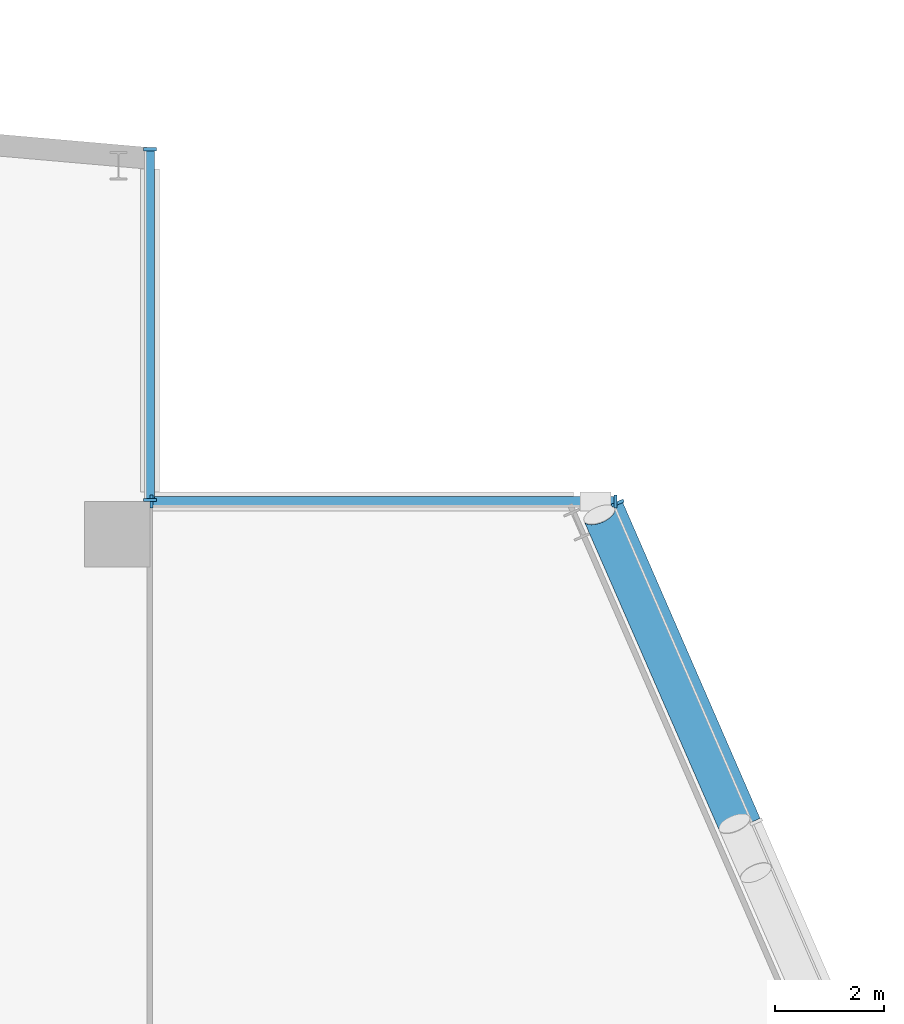
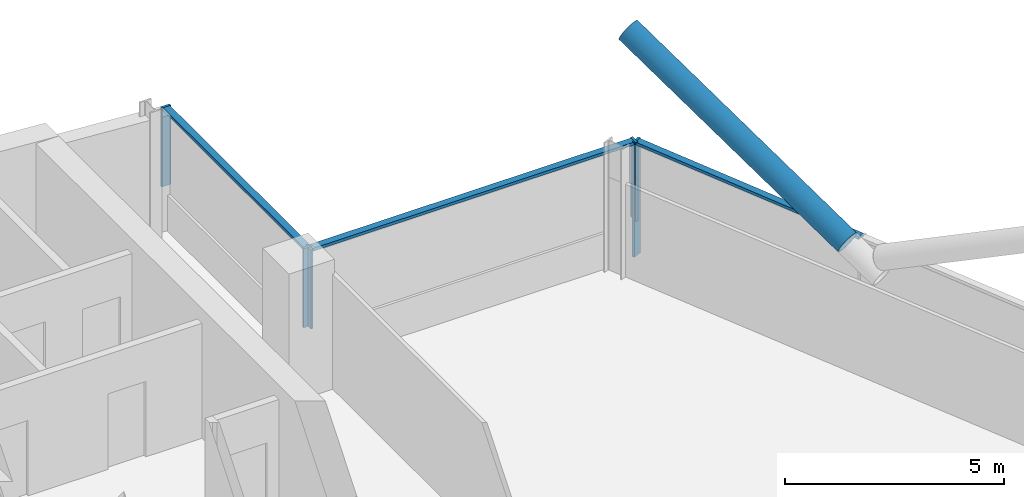
# One storey, part 8 of 27: 9 members, 3 elements without a shape of their own.
"""IFC4 building model written with IfcOpenShell, lengths in metres."""

import ifcopenshell
import ifcopenshell.guid

model = None  # the IFC model being written
_history = None  # IfcOwnerHistory: only IFC2X3 demands one
_inside = {}  # id of a spatial element -> (the spatial element, [elements in it])
_under = {}  # id of a project, library or spatial element -> (it, [spatial elements below it])
_declared = {}  # id of a project -> (the project, [libraries it declares])
_typed = {}  # id of a type object -> (the type object, [elements of that type])
_made_of = {}  # id of a material, layer set ... -> (it, [elements and type objects made of it])


def new_model(schema):
    """Start an empty IFC model of exactly this schema.

    Asked for "IFC4X3", IfcOpenShell would pick the latest addendum, in which some entities
    have other attributes; the version numbers below select the first issue.
    IFC2X3 requires an IfcOwnerHistory on every rooted entity: one is made here for all.
    """
    global model, _history
    if schema == "IFC4X3":
        model = ifcopenshell.file(schema_version=(4, 3, 0, 0))
    else:
        model = ifcopenshell.file(schema=schema)
    _inside.clear()
    _under.clear()
    _declared.clear()
    _typed.clear()
    _made_of.clear()
    _history = None
    if model.schema == "IFC2X3":
        org = make("IfcOrganization", Name="unknown")
        user = make(
            "IfcPersonAndOrganization",
            ThePerson=make("IfcPerson", FamilyName="unknown"),
            TheOrganization=org,
        )
        app = make(
            "IfcApplication",
            ApplicationDeveloper=org,
            Version="unknown",
            ApplicationFullName="unknown",
            ApplicationIdentifier="unknown",
        )
        _history = make(
            "IfcOwnerHistory",
            OwningUser=user,
            OwningApplication=app,
            ChangeAction="ADDED",
            CreationDate=0,
        )
    return model


def make(cls, **values):
    """One entity of the class cls with the attributes given. An attribute that is None is left unset."""
    return model.create_entity(
        cls, **{name: value for name, value in values.items() if value is not None}
    )


def rooted(cls, **values):
    """An entity with a GlobalId (a new one), such as an element, a storey or a relation."""
    return make(cls, GlobalId=ifcopenshell.guid.new(), OwnerHistory=_history, **values)


def si_unit(unit_type, name, prefix=None):
    """IfcSIUnit, for example si_unit("LENGTHUNIT", "METRE", prefix="MILLI")."""
    return make("IfcSIUnit", UnitType=unit_type, Prefix=prefix, Name=name)


def assignment(units):
    """IfcUnitAssignment: the units of a project."""
    return None if units is None else make("IfcUnitAssignment", Units=units)


def point(xyz):
    """IfcCartesianPoint."""
    return None if xyz is None else make("IfcCartesianPoint", Coordinates=xyz)


def direction(xyz):
    """IfcDirection."""
    return None if xyz is None else make("IfcDirection", DirectionRatios=xyz)


def frame(location, z_axis=None, x_axis=None):
    """IfcAxis2Placement3D, a coordinate frame: its origin and axes. An axis left out is left unset."""
    return make(
        "IfcAxis2Placement3D",
        Location=point(location),
        Axis=direction(z_axis),
        RefDirection=direction(x_axis),
    )


def frame_2d(location, x_axis=None):
    """IfcAxis2Placement2D, a coordinate frame in the plane: its origin and x axis."""
    return make(
        "IfcAxis2Placement2D", Location=point(location), RefDirection=direction(x_axis)
    )


def origin():
    """The frame at (0, 0, 0) with its axes left unset."""
    return frame((0.0, 0.0, 0.0))


def origin_2d():
    """The frame at (0, 0) in the plane with its x axis left unset."""
    return frame_2d((0.0, 0.0))


def place(relative_to, where):
    """IfcLocalPlacement: puts the frame where relative to a parent placement (None: the world)."""
    return make(
        "IfcLocalPlacement", PlacementRelTo=relative_to, RelativePlacement=where
    )


def context(
    kind, dimensions, precision=None, world=None, true_north=None, identifier=None
):
    """IfcGeometricRepresentationContext, for example the 3D "Model" context."""
    return make(
        "IfcGeometricRepresentationContext",
        ContextIdentifier=identifier,
        ContextType=kind,
        CoordinateSpaceDimension=dimensions,
        Precision=precision,
        WorldCoordinateSystem=world,
        TrueNorth=true_north,
    )


def subcontext(parent, identifier, kind, view, scale=None):
    """IfcGeometricRepresentationSubContext, for example "Body" below "Model"."""
    return make(
        "IfcGeometricRepresentationSubContext",
        ContextIdentifier=identifier,
        ContextType=kind,
        ParentContext=parent,
        TargetScale=scale,
        TargetView=view,
    )


def project(units=None, contexts=None):
    """IfcProject with its units and contexts."""
    return rooted(
        "IfcProject",
        Name="project",
        RepresentationContexts=contexts,
        UnitsInContext=assignment(units),
    )


def spatial(cls, under=None, at=None, **own):
    """A site, building, storey or space (cls), placed at a placement, below another one or the project."""
    s = rooted(cls, ObjectPlacement=at, **own)
    if under is not None:
        _under.setdefault(under.id(), (under, []))[1].append(s)
    return s


def profile(cls, at=None, kind="AREA", **sizes):
    """A parametric profile (cls). Its sizes go by their IFC names, for example OverallWidth=200.0."""
    return make(cls, ProfileType=kind, Position=at, **sizes)


def rectangle(**sizes):
    """IfcRectangleProfileDef."""
    return profile("IfcRectangleProfileDef", **sizes)


def hollow_circle(**sizes):
    """IfcCircleHollowProfileDef."""
    return profile("IfcCircleHollowProfileDef", **sizes)


def extrude(swept, where, along, depth):
    """IfcExtrudedAreaSolid: the profile swept, set in the frame where, extruded along a direction by depth."""
    return make(
        "IfcExtrudedAreaSolid",
        SweptArea=swept,
        Position=where,
        ExtrudedDirection=direction(along),
        Depth=depth,
    )


def shape(context_of_items, identifier, shape_type, items):
    """IfcShapeRepresentation: the items that make up one representation, for example the "Body"."""
    return make(
        "IfcShapeRepresentation",
        ContextOfItems=context_of_items,
        RepresentationIdentifier=identifier,
        RepresentationType=shape_type,
        Items=items,
    )


def material(Name=None, Category=None):
    """IfcMaterial."""
    return make("IfcMaterial", Name=Name, Category=Category)


def material_profile(
    of_material, cross_section, Name=None, Category=None, Priority=None
):
    """IfcMaterialProfile: a cross section and its material."""
    return make(
        "IfcMaterialProfile",
        Name=Name,
        Material=of_material,
        Profile=cross_section,
        Priority=Priority,
        Category=Category,
    )


def profile_set(profiles, Name=None, composite=None):
    """IfcMaterialProfileSet."""
    return make(
        "IfcMaterialProfileSet",
        Name=Name,
        MaterialProfiles=profiles,
        CompositeProfile=composite,
    )


def made_of(thing, what):
    """Note that an element or type object is made of a material, layer set ...; save() writes the relation."""
    if what is not None:
        _made_of.setdefault(what.id(), (what, []))[1].append(thing)
    return thing


def type_object(cls, material=None, **own):
    """A type object (cls), such as IfcWallType, which elements share."""
    return made_of(rooted(cls, **own), material)


def element(
    cls,
    number,
    at=None,
    inside=None,
    cuts=None,
    type_object=None,
    material=None,
    context=None,
    identifier="Body",
    shape_type=None,
    held_by="IfcProductDefinitionShape",
    body=None,
    shapes=None,
    **own,
):
    """One element of the class cls, such as IfcWall. Its Tag is "e" and its number.

    at: its placement. inside: the storey or other place that contains it. cuts: it is an
    opening in that element (IfcRelVoidsElement). A single representation is given by context,
    identifier, shape_type and body (its items); several are given by shapes. held_by: the class
    of the entity that holds the representations. save() writes the other relations.
    """
    e = rooted(cls, Tag="e%d" % number, ObjectPlacement=at, **own)
    if body is not None:
        shapes = [shape(context, identifier, shape_type, body)]
    if shapes is not None:
        e.Representation = make(held_by, Representations=shapes)
    if inside is not None:
        _inside.setdefault(inside.id(), (inside, []))[1].append(e)
    if cuts is not None:
        rooted(
            "IfcRelVoidsElement", RelatingBuildingElement=cuts, RelatedOpeningElement=e
        )
    if type_object is not None:
        _typed.setdefault(type_object.id(), (type_object, []))[1].append(e)
    return made_of(e, material)


def aggregate(whole, parts):
    """IfcRelAggregates: a whole, such as a stair, and the parts it consists of."""
    return rooted("IfcRelAggregates", RelatingObject=whole, RelatedObjects=parts)


def save(model, path):
    """Write the relations noted so far, then the file.

    IfcRelAggregates (storeys below a building ...), IfcRelContainedInSpatialStructure (elements
    in a storey), IfcRelDefinesByType, IfcRelAssociatesMaterial and IfcRelDeclares: one each for
    every whole, place, type object, material and project.
    """
    for whole, parts in _under.values():
        aggregate(whole, parts)
    for where, things in _inside.values():
        rooted(
            "IfcRelContainedInSpatialStructure",
            RelatedElements=things,
            RelatingStructure=where,
        )
    for kind, things in _typed.values():
        rooted("IfcRelDefinesByType", RelatedObjects=things, RelatingType=kind)
    for what, things in _made_of.values():
        rooted("IfcRelAssociatesMaterial", RelatedObjects=things, RelatingMaterial=what)
    for by, libraries in _declared.values():
        rooted("IfcRelDeclares", RelatingContext=by, RelatedDefinitions=libraries)
    model.write(path)


model = new_model("IFC4")

# Units and contexts
model_context = context("Model", 3, precision=1e-05, world=origin(), true_north=direction((0.0, 1.0)))
body_context = subcontext(model_context, "Body", "Model", "MODEL_VIEW")
ifc_project = project(units=[si_unit("LENGTHUNIT", "METRE"), si_unit("AREAUNIT", "SQUARE_METRE"), si_unit("VOLUMEUNIT", "CUBIC_METRE"), si_unit("PLANEANGLEUNIT", "RADIAN"), si_unit("MASSUNIT", "GRAM", prefix="KILO")], contexts=[model_context])

# Site, building, storey
site_placement = place(None, origin())
site = spatial("IfcSite", under=ifc_project, at=site_placement, CompositionType="ELEMENT")
building_placement = place(site_placement, origin())
building = spatial("IfcBuilding", under=site, at=building_placement, Name="Wharfspan Tower", CompositionType="ELEMENT")
storey_placement = place(building_placement, frame((0.0, 0.0, 207.100098)))
storey = spatial("IfcBuildingStorey", under=building, at=storey_placement, Name="L51", CompositionType="ELEMENT", Elevation=207.100098)

# Curtain wall, member
ifc_material_1 = material(Name="Aluminium 6063-T6", Category="aluminium")
curtain_wall_type = type_object("IfcCurtainWallType", Name="CURTAIN WALL PROW AND END", PredefinedType="NOTDEFINED", material=ifc_material_1)
curtain_wall_1_placement = place(storey_placement, origin())
curtain_wall_1 = element("IfcCurtainWall", 1, at=curtain_wall_1_placement, inside=storey, type_object=curtain_wall_type, Name="Curtain wall E", PredefinedType="NOTDEFINED")
ifc_material_profile_1 = material_profile(ifc_material_1, rectangle(XDim=0.23999, YDim=0.060059, at=origin_2d()))
ifc_profile_set_1 = profile_set([ifc_material_profile_1], Name="Aluminium 6063-T6")
member_type_1 = type_object("IfcMemberType", Name="MULLION PROW AND END 60x240", PredefinedType="MULLION", material=ifc_profile_set_1)
member_1_placement = place(storey_placement, frame((69.620605, 41.972412, 0.0), z_axis=(0.0, 0.0, 1.0), x_axis=(-0.917072, -0.398727, 0.0)))
member_1 = element("IfcMember", 2, at=member_1_placement, type_object=member_type_1, Name="Curtain wall E mullion 7", PredefinedType="MULLION", context=body_context, shape_type="SweptSolid", body=[
    extrude(rectangle(XDim=0.23999, YDim=0.060059, at=origin_2d()), origin(), (0.0, 0.0, 1.0), 3.199951),
])

# Curtain wall, members
curtain_wall_2_placement = place(storey_placement, origin())
curtain_wall_2 = element("IfcCurtainWall", 3, at=curtain_wall_2_placement, inside=storey, type_object=curtain_wall_type, Name="Curtain wall NRE-H", PredefinedType="NOTDEFINED")
member_2_placement = place(storey_placement, frame((69.578613, 42.0, 1.0), z_axis=(0.0, 0.0, 1.0), x_axis=(0.0, -1.0, 0.0)))
member_2 = element("IfcMember", 4, at=member_2_placement, type_object=member_type_1, Name="Curtain wall NRE-H mullion 1", PredefinedType="MULLION", context=body_context, shape_type="SweptSolid", body=[
    extrude(rectangle(XDim=0.23999, YDim=0.060059, at=origin_2d()), origin(), (0.0, 0.0, 1.0), 2.199951),
])
member_3_placement = place(storey_placement, frame((61.030029, 42.0, 1.0), z_axis=(0.0, 0.0, 1.0), x_axis=(0.0, -1.0, 0.0)))
member_3 = element("IfcMember", 5, at=member_3_placement, type_object=member_type_1, Name="Curtain wall NRE-H mullion 2", PredefinedType="MULLION", context=body_context, shape_type="SweptSolid", body=[
    extrude(rectangle(XDim=0.23999, YDim=0.060059, at=origin_2d()), origin(), (0.0, 0.0, 1.0), 2.199951),
])

curtain_wall_3_placement = place(storey_placement, origin())
curtain_wall_3 = element("IfcCurtainWall", 6, at=curtain_wall_3_placement, inside=storey, type_object=curtain_wall_type, Name="Curtain wall NRE-V", PredefinedType="NOTDEFINED")
member_4_placement = place(storey_placement, frame((61.0, 42.030029, 1.0), z_axis=(0.0, 0.0, 1.0), x_axis=(-1.0, 0.0, 0.0)))
member_4 = element("IfcMember", 7, at=member_4_placement, type_object=member_type_1, Name="Curtain wall NRE-V mullion 1", PredefinedType="MULLION", context=body_context, shape_type="SweptSolid", body=[
    extrude(rectangle(XDim=0.23999, YDim=0.060059, at=origin_2d()), origin(), (0.0, 0.0, 1.0), 2.199951),
])
member_5_placement = place(storey_placement, frame((61.0, 48.494873, 1.0), z_axis=(0.0, 0.0, 1.0), x_axis=(-1.0, 0.0, 0.0)))
member_5 = element("IfcMember", 8, at=member_5_placement, type_object=member_type_1, Name="Curtain wall NRE-V mullion 2", PredefinedType="MULLION", context=body_context, shape_type="SweptSolid", body=[
    extrude(rectangle(XDim=0.23999, YDim=0.060059, at=origin_2d()), origin(), (0.0, 0.0, 1.0), 2.199951),
])

# Member
ifc_material_2 = material(Name="Steel S460NH", Category="steel")
ifc_material_profile_2 = material_profile(ifc_material_2, hollow_circle(Radius=0.304932, WallThickness=0.024902, at=origin_2d()))
ifc_profile_set_2 = profile_set([ifc_material_profile_2], Name="Steel S460NH")
member_type_2 = type_object("IfcMemberType", Name="Mega brace CHS 610x25", PredefinedType="BRACE", material=ifc_profile_set_2)
member_6_placement = place(storey_placement, frame((71.769775, 36.06958, 3.166504), z_axis=(-0.352903, 0.807102, 0.473334), x_axis=(-0.916243, -0.400624, -1e-06)))
element("IfcMember", 9, at=member_6_placement, inside=storey, type_object=member_type_2, Name="Mega brace E6 L51 part 2", PredefinedType="BRACE", context=body_context, shape_type="SweptSolid", body=[
    extrude(hollow_circle(Radius=0.304932, WallThickness=0.024902, at=origin_2d()), origin(), (0.0, 0.0, 1.0), 7.04248),
])

ifc_material_profile_3 = material_profile(ifc_material_1, rectangle(XDim=0.179932, YDim=0.080078, at=origin_2d()))
ifc_profile_set_3 = profile_set([ifc_material_profile_3], Name="Aluminium 6063-T6")
member_type_3 = type_object("IfcMemberType", Name="TRANSOM PROW AND END 80x180", PredefinedType="USERDEFINED", material=ifc_profile_set_3)
member_7_placement = place(storey_placement, frame((72.161865, 36.127441, 3.159912), z_axis=(-0.398712, 0.917076, 0.0), x_axis=(-0.917076, -0.398712, 0.0)))
member_7 = element("IfcMember", 10, at=member_7_placement, type_object=member_type_3, Name="Curtain wall E transom 6", ObjectType="TRANSOM", PredefinedType="USERDEFINED", context=body_context, shape_type="SweptSolid", body=[
    extrude(rectangle(XDim=0.179932, YDim=0.080078, at=origin_2d()), origin(), (0.0, 0.0, 1.0), 6.34375),
])

aggregate(curtain_wall_1, [member_1, member_7])

member_8_placement = place(storey_placement, frame((69.548584, 42.0, 3.159912), z_axis=(-1.0, 0.0, 0.0), x_axis=(0.0, -1.0, 0.0)))
member_8 = element("IfcMember", 11, at=member_8_placement, type_object=member_type_3, Name="Curtain wall NRE-H transom 1", ObjectType="TRANSOM", PredefinedType="USERDEFINED", context=body_context, shape_type="SweptSolid", body=[
    extrude(rectangle(XDim=0.179932, YDim=0.080078, at=origin_2d()), origin(), (0.0, 0.0, 1.0), 8.488525),
])

aggregate(curtain_wall_2, [member_2, member_3, member_8])

member_9_placement = place(storey_placement, frame((61.0, 42.060059, 3.159912), z_axis=(0.0, 1.0, 0.0), x_axis=(-1.0, 0.0, 0.0)))
member_9 = element("IfcMember", 12, at=member_9_placement, type_object=member_type_3, Name="Curtain wall NRE-V transom 1", ObjectType="TRANSOM", PredefinedType="USERDEFINED", context=body_context, shape_type="SweptSolid", body=[
    extrude(rectangle(XDim=0.179932, YDim=0.080078, at=origin_2d()), origin(), (0.0, 0.0, 1.0), 6.404785),
])

aggregate(curtain_wall_3, [member_4, member_5, member_9])

save(model, "model.ifc")
